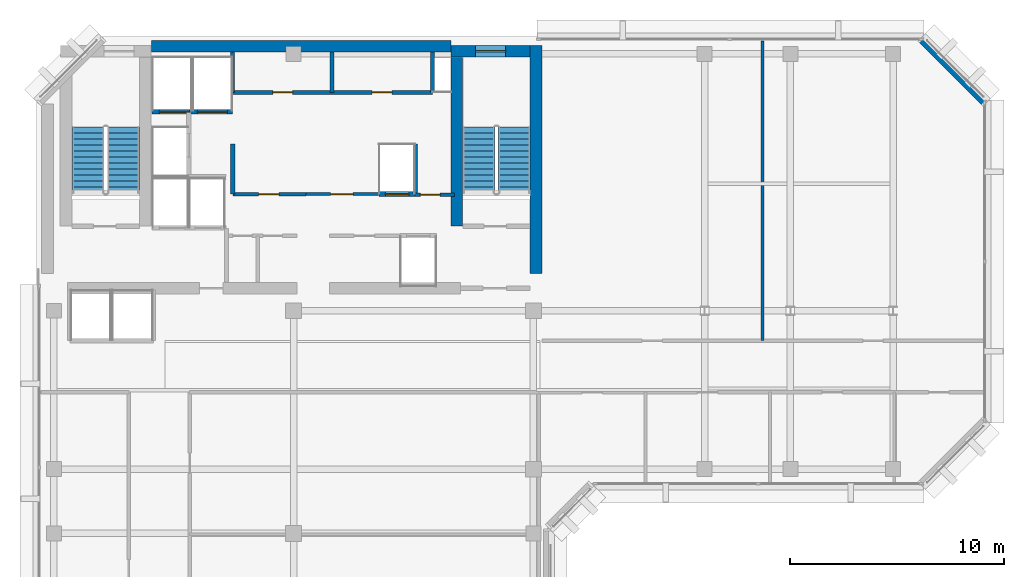
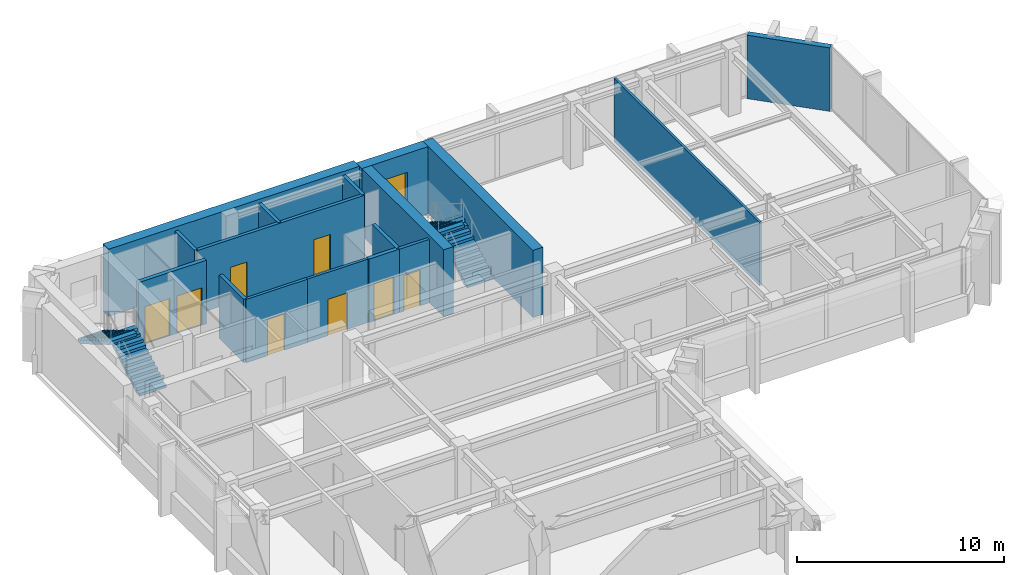
# One storey, part 8 of 11: 17 walls, 8 doors, 4 stair flights, 1 window, 9 openings, 2 elements without a shape of their own.
"""IFC4 building model written with IfcOpenShell, lengths in metres."""

import ifcopenshell
import ifcopenshell.guid

model = None  # the IFC model being written
_history = None  # IfcOwnerHistory: only IFC2X3 demands one
_inside = {}  # id of a spatial element -> (the spatial element, [elements in it])
_under = {}  # id of a project, library or spatial element -> (it, [spatial elements below it])
_declared = {}  # id of a project -> (the project, [libraries it declares])
_typed = {}  # id of a type object -> (the type object, [elements of that type])
_made_of = {}  # id of a material, layer set ... -> (it, [elements and type objects made of it])


def new_model(schema):
    """Start an empty IFC model of exactly this schema.

    Asked for "IFC4X3", IfcOpenShell would pick the latest addendum, in which some entities
    have other attributes; the version numbers below select the first issue.
    IFC2X3 requires an IfcOwnerHistory on every rooted entity: one is made here for all.
    """
    global model, _history
    if schema == "IFC4X3":
        model = ifcopenshell.file(schema_version=(4, 3, 0, 0))
    else:
        model = ifcopenshell.file(schema=schema)
    _inside.clear()
    _under.clear()
    _declared.clear()
    _typed.clear()
    _made_of.clear()
    _history = None
    if model.schema == "IFC2X3":
        org = make("IfcOrganization", Name="unknown")
        user = make(
            "IfcPersonAndOrganization",
            ThePerson=make("IfcPerson", FamilyName="unknown"),
            TheOrganization=org,
        )
        app = make(
            "IfcApplication",
            ApplicationDeveloper=org,
            Version="unknown",
            ApplicationFullName="unknown",
            ApplicationIdentifier="unknown",
        )
        _history = make(
            "IfcOwnerHistory",
            OwningUser=user,
            OwningApplication=app,
            ChangeAction="ADDED",
            CreationDate=0,
        )
    return model


def make(cls, **values):
    """One entity of the class cls with the attributes given. An attribute that is None is left unset."""
    return model.create_entity(
        cls, **{name: value for name, value in values.items() if value is not None}
    )


def rooted(cls, **values):
    """An entity with a GlobalId (a new one), such as an element, a storey or a relation."""
    return make(cls, GlobalId=ifcopenshell.guid.new(), OwnerHistory=_history, **values)


def si_unit(unit_type, name, prefix=None):
    """IfcSIUnit, for example si_unit("LENGTHUNIT", "METRE", prefix="MILLI")."""
    return make("IfcSIUnit", UnitType=unit_type, Prefix=prefix, Name=name)


def assignment(units):
    """IfcUnitAssignment: the units of a project."""
    return None if units is None else make("IfcUnitAssignment", Units=units)


def point(xyz):
    """IfcCartesianPoint."""
    return None if xyz is None else make("IfcCartesianPoint", Coordinates=xyz)


def direction(xyz):
    """IfcDirection."""
    return None if xyz is None else make("IfcDirection", DirectionRatios=xyz)


def frame(location, z_axis=None, x_axis=None):
    """IfcAxis2Placement3D, a coordinate frame: its origin and axes. An axis left out is left unset."""
    return make(
        "IfcAxis2Placement3D",
        Location=point(location),
        Axis=direction(z_axis),
        RefDirection=direction(x_axis),
    )


def frame_2d(location, x_axis=None):
    """IfcAxis2Placement2D, a coordinate frame in the plane: its origin and x axis."""
    return make(
        "IfcAxis2Placement2D", Location=point(location), RefDirection=direction(x_axis)
    )


def origin():
    """The frame at (0, 0, 0) with its axes left unset."""
    return frame((0.0, 0.0, 0.0))


def place(relative_to, where):
    """IfcLocalPlacement: puts the frame where relative to a parent placement (None: the world)."""
    return make(
        "IfcLocalPlacement", PlacementRelTo=relative_to, RelativePlacement=where
    )


def context(
    kind, dimensions, precision=None, world=None, true_north=None, identifier=None
):
    """IfcGeometricRepresentationContext, for example the 3D "Model" context."""
    return make(
        "IfcGeometricRepresentationContext",
        ContextIdentifier=identifier,
        ContextType=kind,
        CoordinateSpaceDimension=dimensions,
        Precision=precision,
        WorldCoordinateSystem=world,
        TrueNorth=true_north,
    )


def subcontext(parent, identifier, kind, view, scale=None):
    """IfcGeometricRepresentationSubContext, for example "Body" below "Model"."""
    return make(
        "IfcGeometricRepresentationSubContext",
        ContextIdentifier=identifier,
        ContextType=kind,
        ParentContext=parent,
        TargetScale=scale,
        TargetView=view,
    )


def project(units=None, contexts=None):
    """IfcProject with its units and contexts."""
    return rooted(
        "IfcProject",
        Name="project",
        RepresentationContexts=contexts,
        UnitsInContext=assignment(units),
    )


def spatial(cls, under=None, at=None, **own):
    """A site, building, storey or space (cls), placed at a placement, below another one or the project."""
    s = rooted(cls, ObjectPlacement=at, **own)
    if under is not None:
        _under.setdefault(under.id(), (under, []))[1].append(s)
    return s


def polyline(points):
    """IfcPolyline through the points."""
    return make("IfcPolyline", Points=[point(p) for p in points])


def profile(cls, at=None, kind="AREA", **sizes):
    """A parametric profile (cls). Its sizes go by their IFC names, for example OverallWidth=200.0."""
    return make(cls, ProfileType=kind, Position=at, **sizes)


def rectangle(**sizes):
    """IfcRectangleProfileDef."""
    return profile("IfcRectangleProfileDef", **sizes)


def outline(outer, holes=None, kind="AREA"):
    """IfcArbitraryClosedProfileDef: a profile drawn as a closed curve; with holes, ...WithVoids."""
    if holes is None:
        return make("IfcArbitraryClosedProfileDef", ProfileType=kind, OuterCurve=outer)
    return make(
        "IfcArbitraryProfileDefWithVoids",
        ProfileType=kind,
        OuterCurve=outer,
        InnerCurves=holes,
    )


def extrude(swept, where, along, depth):
    """IfcExtrudedAreaSolid: the profile swept, set in the frame where, extruded along a direction by depth."""
    return make(
        "IfcExtrudedAreaSolid",
        SweptArea=swept,
        Position=where,
        ExtrudedDirection=direction(along),
        Depth=depth,
    )


def shape(context_of_items, identifier, shape_type, items):
    """IfcShapeRepresentation: the items that make up one representation, for example the "Body"."""
    return make(
        "IfcShapeRepresentation",
        ContextOfItems=context_of_items,
        RepresentationIdentifier=identifier,
        RepresentationType=shape_type,
        Items=items,
    )


def material(Name=None, Category=None):
    """IfcMaterial."""
    return make("IfcMaterial", Name=Name, Category=Category)


def layer(
    of_material, thickness, ventilated=None, Name=None, Category=None, Priority=None
):
    """IfcMaterialLayer: one layer of a wall or slab, of a material (None: an air gap)."""
    return make(
        "IfcMaterialLayer",
        Material=of_material,
        LayerThickness=thickness,
        IsVentilated=ventilated,
        Name=Name,
        Category=Category,
        Priority=Priority,
    )


def layer_set(layers, Name=None):
    """IfcMaterialLayerSet."""
    return make("IfcMaterialLayerSet", MaterialLayers=layers, LayerSetName=Name)


def made_of(thing, what):
    """Note that an element or type object is made of a material, layer set ...; save() writes the relation."""
    if what is not None:
        _made_of.setdefault(what.id(), (what, []))[1].append(thing)
    return thing


def type_object(cls, material=None, **own):
    """A type object (cls), such as IfcWallType, which elements share."""
    return made_of(rooted(cls, **own), material)


def element(
    cls,
    number,
    at=None,
    inside=None,
    cuts=None,
    type_object=None,
    material=None,
    context=None,
    identifier="Body",
    shape_type=None,
    held_by="IfcProductDefinitionShape",
    body=None,
    shapes=None,
    **own,
):
    """One element of the class cls, such as IfcWall. Its Tag is "e" and its number.

    at: its placement. inside: the storey or other place that contains it. cuts: it is an
    opening in that element (IfcRelVoidsElement). A single representation is given by context,
    identifier, shape_type and body (its items); several are given by shapes. held_by: the class
    of the entity that holds the representations. save() writes the other relations.
    """
    e = rooted(cls, Tag="e%d" % number, ObjectPlacement=at, **own)
    if body is not None:
        shapes = [shape(context, identifier, shape_type, body)]
    if shapes is not None:
        e.Representation = make(held_by, Representations=shapes)
    if inside is not None:
        _inside.setdefault(inside.id(), (inside, []))[1].append(e)
    if cuts is not None:
        rooted(
            "IfcRelVoidsElement", RelatingBuildingElement=cuts, RelatedOpeningElement=e
        )
    if type_object is not None:
        _typed.setdefault(type_object.id(), (type_object, []))[1].append(e)
    return made_of(e, material)


def fill(opening, filler):
    """IfcRelFillsElement: the door or window that sits in an opening."""
    return rooted(
        "IfcRelFillsElement",
        RelatingOpeningElement=opening,
        RelatedBuildingElement=filler,
    )


def aggregate(whole, parts):
    """IfcRelAggregates: a whole, such as a stair, and the parts it consists of."""
    return rooted("IfcRelAggregates", RelatingObject=whole, RelatedObjects=parts)


def save(model, path):
    """Write the relations noted so far, then the file.

    IfcRelAggregates (storeys below a building ...), IfcRelContainedInSpatialStructure (elements
    in a storey), IfcRelDefinesByType, IfcRelAssociatesMaterial and IfcRelDeclares: one each for
    every whole, place, type object, material and project.
    """
    for whole, parts in _under.values():
        aggregate(whole, parts)
    for where, things in _inside.values():
        rooted(
            "IfcRelContainedInSpatialStructure",
            RelatedElements=things,
            RelatingStructure=where,
        )
    for kind, things in _typed.values():
        rooted("IfcRelDefinesByType", RelatedObjects=things, RelatingType=kind)
    for what, things in _made_of.values():
        rooted("IfcRelAssociatesMaterial", RelatedObjects=things, RelatingMaterial=what)
    for by, libraries in _declared.values():
        rooted("IfcRelDeclares", RelatingContext=by, RelatedDefinitions=libraries)
    model.write(path)


model = new_model("IFC4")

# Units and contexts
model_context = context("Model", 3, precision=1e-05, world=origin(), true_north=direction((0.0, 1.0)))
body_context = subcontext(model_context, "Body", "Model", "MODEL_VIEW")
ifc_project = project(units=[si_unit("LENGTHUNIT", "METRE"), si_unit("AREAUNIT", "SQUARE_METRE"), si_unit("VOLUMEUNIT", "CUBIC_METRE"), si_unit("PLANEANGLEUNIT", "RADIAN"), si_unit("MASSUNIT", "GRAM", prefix="KILO")], contexts=[model_context])

# Site, building, storey
site_placement = place(None, origin())
site = spatial("IfcSite", under=ifc_project, at=site_placement, CompositionType="ELEMENT")
building_placement = place(site_placement, origin())
building = spatial("IfcBuilding", under=site, at=building_placement, Name="Kefirva Bronze Tower", CompositionType="ELEMENT")
storey_placement = place(building_placement, frame((0.0, 0.0, 284.1298828125)))
storey = spatial("IfcBuildingStorey", under=building, at=storey_placement, Name="L69", CompositionType="ELEMENT", Elevation=284.1298828125)

# Wall
ifc_material_1 = material(Name="Gypsum acoustic partition")
ifc_layer_1 = layer(ifc_material_1, 0.1298828125, Name="Gypsum acoustic partition")
ifc_layer_set_1 = layer_set([ifc_layer_1], Name="Gypsum acoustic partition")
wall_type_1 = type_object("IfcWallType", Name="Acoustic Office Partition 130mm", PredefinedType="PARTITIONING", material=ifc_layer_set_1)
wall_1_placement = place(storey_placement, frame((33.905029296875, 31.800048828125, 0.0), z_axis=(0.0, 0.0, 1.0), x_axis=(0.0, 1.0, 0.0)))
element("IfcWall", 1, at=wall_1_placement, inside=storey, type_object=wall_type_1, Name="L69 Partition W-L69-END1", PredefinedType="PARTITIONING", context=body_context, shape_type="SweptSolid", body=[
    extrude(rectangle(XDim=14.010009765625, YDim=0.1298828125, at=frame_2d((7.0048828125, 0.0))), origin(), (0.0, 0.0, 1.0), 3.740234375),
])

# Wall, opening, door
ifc_layer_2 = layer(ifc_material_1, 0.14990234375, Name="Gypsum acoustic partition")
ifc_layer_set_2 = layer_set([ifc_layer_2], Name="Gypsum acoustic partition")
wall_type_2 = type_object("IfcWallType", Name="Executive Suite Partition 150mm", PredefinedType="PARTITIONING", material=ifc_layer_set_2)
wall_2_placement = place(storey_placement, frame((12.580078125, 38.64990234375, 0.0), z_axis=(0.0, 0.0, 1.0), x_axis=(1.0, 0.0, 0.0)))
wall_2 = element("IfcWall", 2, at=wall_2_placement, inside=storey, type_object=wall_type_2, Name="L69 Partition W-L69-RECMP2", PredefinedType="PARTITIONING", context=body_context, shape_type="SweptSolid", body=[
    extrude(rectangle(XDim=3.3798828125, YDim=0.14990234375, at=frame_2d((1.68994140625, 0.0))), origin(), (0.0, 0.0, 1.0), 3.740234375),
])
opening_1_placement = place(wall_2_placement, frame((2.199951171875, 0.0, 0.0), z_axis=(0.0, 0.0, 1.0), x_axis=(-1.0, 0.0, 0.0)))
opening_1 = element("IfcOpeningElement", 3, at=opening_1_placement, cuts=wall_2, Name="Opening L69-D-RECMP2", PredefinedType="OPENING", context=body_context, shape_type="SweptSolid", body=[
    extrude(rectangle(XDim=1.050048828125, YDim=2.14990234375, at=frame_2d((0.52490234375, 1.074951171875))), frame((0.0, 0.0849609375, 0.0), z_axis=(0.0, -1.0, 0.0), x_axis=(1.0, 0.0, 0.0)), (0.0, 0.0, 1.0), 0.169921875),
])
ifc_material_2 = material(Name="Acoustic hardwood oak", Category="wood")
door_type_1 = type_object("IfcDoorType", Name="Executive & Boardroom Door 1050x2150", OperationType="NOTDEFINED", PredefinedType="DOOR", material=ifc_material_2)
door_1_placement = place(opening_1_placement, origin())
door_1 = element("IfcDoor", 4, at=door_1_placement, inside=storey, type_object=door_type_1, Name="Door L69-D-RECMP2", OperationType="SINGLE_SWING_RIGHT", OverallHeight=2.14990234375, OverallWidth=1.050048828125, PredefinedType="DOOR", context=body_context, shape_type="SweptSolid", body=[
    extrude(rectangle(XDim=1.050048828125, YDim=2.14990234375, at=frame_2d((0.52490234375, 1.074951171875))), frame((0.0, 0.02490234375, 0.0), z_axis=(0.0, -1.0, 0.0), x_axis=(1.0, 0.0, 0.0)), (0.0, 0.0, 1.0), 0.050048828125),
])
fill(opening_1, door_1)

# Wall, openings, doors
ifc_material_3 = material(Name="Gypsum fireboard shaftwall")
ifc_layer_3 = layer(ifc_material_3, 0.219970703125, Name="Gypsum fireboard shaftwall")
ifc_layer_set_3 = layer_set([ifc_layer_3], Name="Gypsum fireboard shaftwall")
wall_type_3 = type_object("IfcWallType", Name="Fire-Rated Shaft Enclosure Wall 220mm", PredefinedType="PARTITIONING", material=ifc_layer_set_3)
wall_3_placement = place(storey_placement, frame((5.3798828125, 42.5, 0.0), z_axis=(0.0, 0.0, 1.0), x_axis=(1.0, 0.0, 0.0)))
wall_3 = element("IfcWall", 5, at=wall_3_placement, inside=storey, type_object=wall_type_3, Name="L69 Partition W-L69-SVS", PredefinedType="PARTITIONING", context=body_context, shape_type="SweptSolid", body=[
    extrude(rectangle(XDim=3.77001953125, YDim=0.219970703125, at=frame_2d((1.885009765625, 0.0))), origin(), (0.0, 0.0, 1.0), 3.740234375),
])
opening_2_placement = place(wall_3_placement, frame((1.75, 0.0, 0.0), z_axis=(0.0, 0.0, 1.0), x_axis=(-1.0, 0.0, 0.0)))
opening_2 = element("IfcOpeningElement", 6, at=opening_2_placement, cuts=wall_3, Name="Opening L69-LD-SV1", PredefinedType="OPENING", context=body_context, shape_type="SweptSolid", body=[
    extrude(rectangle(XDim=1.39990234375, YDim=2.199951171875, at=frame_2d((0.699951171875, 1.10009765625))), frame((0.0, 0.1201171875, 0.0), z_axis=(0.0, -1.0, 0.0), x_axis=(1.0, 0.0, 0.0)), (0.0, 0.0, 1.0), 0.239990234375),
])
opening_3_placement = place(wall_3_placement, frame((3.52978515625, 0.0, 0.0), z_axis=(0.0, 0.0, 1.0), x_axis=(-1.0, 0.0, 0.0)))
opening_3 = element("IfcOpeningElement", 7, at=opening_3_placement, cuts=wall_3, Name="Opening L69-LD-SV2", PredefinedType="OPENING", context=body_context, shape_type="SweptSolid", body=[
    extrude(rectangle(XDim=1.39990234375, YDim=2.199951171875, at=frame_2d((0.699951171875, 1.10009765625))), frame((0.0, 0.1201171875, 0.0), z_axis=(0.0, -1.0, 0.0), x_axis=(1.0, 0.0, 0.0)), (0.0, 0.0, 1.0), 0.239990234375),
])
ifc_material_4 = material(Name="Stainless steel 316", Category="steel")
door_type_2 = type_object("IfcDoorType", Name="Goods Lift Bi-Parting Sliding Door 1400x2200", OperationType="SLIDING_TO_LEFT", PredefinedType="DOOR", material=ifc_material_4)
door_2_placement = place(opening_2_placement, origin())
door_2 = element("IfcDoor", 8, at=door_2_placement, inside=storey, type_object=door_type_2, Name="Door L69-LD-SV1", OperationType="SLIDING_TO_LEFT", OverallHeight=2.199951171875, OverallWidth=1.39990234375, PredefinedType="DOOR", context=body_context, shape_type="SweptSolid", body=[
    extrude(rectangle(XDim=1.39990234375, YDim=2.199951171875, at=frame_2d((0.699951171875, 1.10009765625))), frame((0.0, 0.02490234375, 0.0), z_axis=(0.0, -1.0, 0.0), x_axis=(1.0, 0.0, 0.0)), (0.0, 0.0, 1.0), 0.050048828125),
])
fill(opening_2, door_2)
door_3_placement = place(opening_3_placement, origin())
door_3 = element("IfcDoor", 9, at=door_3_placement, inside=storey, type_object=door_type_2, Name="Door L69-LD-SV2", OperationType="SLIDING_TO_LEFT", OverallHeight=2.199951171875, OverallWidth=1.39990234375, PredefinedType="DOOR", context=body_context, shape_type="SweptSolid", body=[
    extrude(rectangle(XDim=1.39990234375, YDim=2.199951171875, at=frame_2d((0.699951171875, 1.10009765625))), frame((0.0, 0.02490234375, 0.0), z_axis=(0.0, -1.0, 0.0), x_axis=(1.0, 0.0, 0.0)), (0.0, 0.0, 1.0), 0.050048828125),
])
fill(opening_3, door_3)

# Walls
for number, where, z_axis, x_axis, name in (
    (10, (9.159912109375, 38.64990234375, 0.0), (0.0, 0.0, 1.0), (0.0, 1.0, 0.0), "L69 Partition W-L69-LP3W"),
    (11, (17.679931640625, 38.64990234375, 0.0), (0.0, 0.0, 1.0), (0.0, 1.0, 0.0), "L69 Partition W-L69-HP2E"),
):
    element("IfcWall", number, at=place(storey_placement, frame(where, z_axis=z_axis, x_axis=x_axis)), inside=storey, type_object=wall_type_3, Name=name, PredefinedType="PARTITIONING", context=body_context, shape_type="SweptSolid", body=[
        extrude(rectangle(XDim=2.35009765625, YDim=0.199951171875, at=frame_2d((1.175048828125, 0.0))), origin(), (0.0, 0.0, 1.0), 3.740234375),
    ])

# Wall, opening, door
wall_4_placement = place(storey_placement, frame((15.97998046875, 38.64990234375, 0.0), z_axis=(0.0, 0.0, 1.0), x_axis=(1.0, 0.0, 0.0)))
wall_4 = element("IfcWall", 12, at=wall_4_placement, inside=storey, type_object=wall_type_3, Name="L69 Partition W-L69-HPN", PredefinedType="PARTITIONING", context=body_context, shape_type="SweptSolid", body=[
    extrude(rectangle(XDim=1.719970703125, YDim=0.219970703125, at=frame_2d((0.85986328125, 0.0))), origin(), (0.0, 0.0, 1.0), 3.740234375),
])
opening_4_placement = place(wall_4_placement, frame((0.300048828125, 0.0, 0.0)))
opening_4 = element("IfcOpeningElement", 13, at=opening_4_placement, cuts=wall_4, Name="Opening L69-LD-HP2", PredefinedType="OPENING", context=body_context, shape_type="SweptSolid", body=[
    extrude(rectangle(XDim=1.10009765625, YDim=2.199951171875, at=frame_2d((0.550048828125, 1.10009765625))), frame((0.0, 0.1201171875, 0.0), z_axis=(0.0, -1.0, 0.0), x_axis=(1.0, 0.0, 0.0)), (0.0, 0.0, 1.0), 0.239990234375),
])
door_type_3 = type_object("IfcDoorType", Name="Passenger Lift Sliding Landing Door 1100x2200", OperationType="SLIDING_TO_LEFT", PredefinedType="DOOR", material=ifc_material_4)
door_4_placement = place(opening_4_placement, origin())
door_4 = element("IfcDoor", 14, at=door_4_placement, inside=storey, type_object=door_type_3, Name="Door L69-LD-HP2", OperationType="SLIDING_TO_LEFT", OverallHeight=2.199951171875, OverallWidth=1.10009765625, PredefinedType="DOOR", context=body_context, shape_type="SweptSolid", body=[
    extrude(rectangle(XDim=1.10009765625, YDim=2.199951171875, at=frame_2d((0.550048828125, 1.10009765625))), frame((0.0, 0.02490234375, 0.0), z_axis=(0.0, -1.0, 0.0), x_axis=(1.0, 0.0, 0.0)), (0.0, 0.0, 1.0), 0.050048828125),
])
fill(opening_4, door_4)

ifc_material_5 = material(Name="Gypsum fireboard barrier")
ifc_layer_4 = layer(ifc_material_5, 0.199951171875, Name="Gypsum fireboard barrier")
ifc_layer_set_4 = layer_set([ifc_layer_4], Name="Gypsum fireboard barrier")
wall_type_4 = type_object("IfcWallType", Name="Firefighting Lobby Barrier Wall 200mm", PredefinedType="PARTITIONING", material=ifc_layer_set_4)
wall_5_placement = place(storey_placement, frame((17.679931640625, 38.6201171875, 0.0), z_axis=(0.0, 0.0, 1.0), x_axis=(1.0, 0.0, 0.0)))
wall_5 = element("IfcWall", 15, at=wall_5_placement, inside=storey, type_object=wall_type_4, Name="L69 Partition W-L69-CPASS", PredefinedType="PARTITIONING", context=body_context, shape_type="SweptSolid", body=[
    extrude(rectangle(XDim=1.840087890625, YDim=0.179931640625, at=frame_2d((0.919921875, 0.0))), origin(), (0.0, 0.0, 1.0), 3.740234375),
])
opening_5_placement = place(wall_5_placement, frame((0.239990234375, 0.0, 0.0)))
opening_5 = element("IfcOpeningElement", 16, at=opening_5_placement, cuts=wall_5, Name="Opening L69-D-CPAS", PredefinedType="OPENING", context=body_context, shape_type="SweptSolid", body=[
    extrude(rectangle(XDim=0.919921875, YDim=2.10009765625, at=frame_2d((0.4599609375, 1.050048828125))), frame((0.0, 0.10009765625, 0.0), z_axis=(0.0, -1.0, 0.0), x_axis=(1.0, 0.0, 0.0)), (0.0, 0.0, 1.0), 0.199951171875),
])
ifc_material_6 = material(Name="Moisture-resistant timber", Category="wood")
door_type_4 = type_object("IfcDoorType", Name="Accessible Sanitary & WC Door 920x2100", OperationType="NOTDEFINED", PredefinedType="DOOR", material=ifc_material_6)
door_5_placement = place(opening_5_placement, origin())
door_5 = element("IfcDoor", 17, at=door_5_placement, inside=storey, type_object=door_type_4, Name="Door L69-D-CPAS", OperationType="SINGLE_SWING_LEFT", OverallHeight=2.10009765625, OverallWidth=0.919921875, PredefinedType="DOOR", context=body_context, shape_type="SweptSolid", body=[
    extrude(rectangle(XDim=0.919921875, YDim=2.10009765625, at=frame_2d((0.4599609375, 1.050048828125))), frame((0.0, 0.02490234375, 0.0), z_axis=(0.0, -1.0, 0.0), x_axis=(1.0, 0.0, 0.0)), (0.0, 0.0, 1.0), 0.050048828125),
])
fill(opening_5, door_5)

# Wall
ifc_material_7 = material(Name="Precast concrete C40/50", Category="concrete")
ifc_layer_5 = layer(ifc_material_7, 0.320068359375, Name="Precast concrete C40/50")
ifc_layer_set_5 = layer_set([ifc_layer_5], Name="Precast concrete C40/50")
wall_type_5 = type_object("IfcWallType", Name="Precast Insulated Exterior Wall 320mm", PredefinedType="SOLIDWALL", material=ifc_layer_set_5)
wall_6_placement = place(storey_placement, frame((44.248046875, 42.92578125, 0.0), z_axis=(0.0, 0.0, 1.0), x_axis=(-0.707136318428, 0.707077242712, 0.0)))
element("IfcWall", 18, at=wall_6_placement, inside=storey, type_object=wall_type_5, Name="L69 Exterior Facade Wall 5", PredefinedType="SOLIDWALL", context=body_context, shape_type="SweptSolid", body=[
    extrude(rectangle(XDim=4.132568359375, YDim=0.320068359375, at=frame_2d((2.06640625, 0.0))), origin(), (0.0, 0.0, 1.0), 3.740234375),
])

# Wall, opening, door
ifc_layer_6 = layer(ifc_material_1, 0.159912109375, Name="Gypsum acoustic partition")
ifc_layer_set_6 = layer_set([ifc_layer_6], Name="Gypsum acoustic partition")
wall_type_6 = type_object("IfcWallType", Name="Protected Corridor Partition 160mm", PredefinedType="PARTITIONING", material=ifc_layer_set_6)
wall_7_placement = place(storey_placement, frame((9.159912109375, 38.64990234375, 0.0), z_axis=(0.0, 0.0, 1.0), x_axis=(1.0, 0.0, 0.0)))
wall_7 = element("IfcWall", 19, at=wall_7_placement, inside=storey, type_object=wall_type_6, Name="L69 Partition W-L69-RECLP2", PredefinedType="PARTITIONING", context=body_context, shape_type="SweptSolid", body=[
    extrude(rectangle(XDim=3.420166015625, YDim=0.159912109375, at=frame_2d((1.7099609375, 0.0))), origin(), (0.0, 0.0, 1.0), 3.740234375),
])
opening_6_placement = place(wall_7_placement, frame((2.14990234375, 0.0, 0.0), z_axis=(0.0, 0.0, 1.0), x_axis=(-1.0, 0.0, 0.0)))
opening_6 = element("IfcOpeningElement", 20, at=opening_6_placement, cuts=wall_7, Name="Opening L69-D-RECLP2", PredefinedType="OPENING", context=body_context, shape_type="SweptSolid", body=[
    extrude(rectangle(XDim=0.949951171875, YDim=2.14990234375, at=frame_2d((0.47509765625, 1.074951171875))), frame((0.0, 0.08984375, 0.0), z_axis=(0.0, -1.0, 0.0), x_axis=(1.0, 0.0, 0.0)), (0.0, 0.0, 1.0), 0.179931640625),
])
door_type_5 = type_object("IfcDoorType", Name="Office & Meeting Room Door 950x2150", OperationType="NOTDEFINED", PredefinedType="DOOR", material=ifc_material_2)
door_6_placement = place(opening_6_placement, origin())
door_6 = element("IfcDoor", 21, at=door_6_placement, inside=storey, type_object=door_type_5, Name="Door L69-D-RECLP2", OperationType="SINGLE_SWING_RIGHT", OverallHeight=2.14990234375, OverallWidth=0.949951171875, PredefinedType="DOOR", context=body_context, shape_type="SweptSolid", body=[
    extrude(rectangle(XDim=0.949951171875, YDim=2.14990234375, at=frame_2d((0.47509765625, 1.074951171875))), frame((0.0, 0.02490234375, 0.0), z_axis=(0.0, -1.0, 0.0), x_axis=(1.0, 0.0, 0.0)), (0.0, 0.0, 1.0), 0.050048828125),
])
fill(opening_6, door_6)

# Wall
ifc_material_8 = material(Name="Concrete C50/60", Category="concrete")
ifc_layer_7 = layer(ifc_material_8, 0.550048828125, Name="Concrete C50/60")
ifc_layer_set_7 = layer_set([ifc_layer_7], Name="Concrete C50/60")
wall_type_7 = type_object("IfcWallType", Name="RC Rear Core Exterior Wall 550mm", PredefinedType="SHEAR", material=ifc_layer_set_7)
wall_8_placement = place(storey_placement, frame((5.360107421875, 45.550048828125, 0.0), z_axis=(0.0, 0.0, 1.0), x_axis=(1.0, 0.0, 0.0)))
element("IfcWall", 22, at=wall_8_placement, inside=storey, type_object=wall_type_7, Name="L69 Rear Core North Shear Wall", PredefinedType="SHEAR", context=body_context, shape_type="SweptSolid", body=[
    extrude(rectangle(XDim=13.97998046875, YDim=0.550048828125, at=frame_2d((6.989990234375, 0.0))), origin(), (0.0, 0.0, 1.0), 3.960205078125),
])

# Wall, opening, window
wall_9_placement = place(storey_placement, frame((19.35009765625, 45.320068359375, 0.0), z_axis=(0.0, 0.0, 1.0), x_axis=(1.0, 0.0, 0.0)))
wall_9 = element("IfcWall", 23, at=wall_9_placement, inside=storey, type_object=wall_type_7, Name="L69 Stair 2 North Shear Wall", PredefinedType="SHEAR", context=body_context, shape_type="SweptSolid", body=[
    extrude(rectangle(XDim=3.68994140625, YDim=0.550048828125, at=frame_2d((1.844970703125, 0.0))), origin(), (0.0, 0.0, 1.0), 3.960205078125),
])
opening_7_placement = place(wall_9_placement, frame((1.14990234375, 0.0, 1.050048828125)))
opening_7 = element("IfcOpeningElement", 24, at=opening_7_placement, cuts=wall_9, Name="Opening WN-03", PredefinedType="OPENING", context=body_context, shape_type="SweptSolid", body=[
    extrude(rectangle(XDim=1.39990234375, YDim=1.800048828125, at=frame_2d((0.699951171875, 0.89990234375))), frame((0.0, 0.28515625, 0.0), z_axis=(0.0, -1.0, 0.0), x_axis=(1.0, 0.0, 0.0)), (0.0, 0.0, 1.0), 0.570068359375),
])
ifc_material_9 = material(Name="Laminated low-E double glazing", Category="glass")
window_type = type_object("IfcWindowType", Name="Rear-Core Stair Daylight Window 1400x1800", PartitioningType="SINGLE_PANEL", PredefinedType="WINDOW", material=ifc_material_9)
window_placement = place(opening_7_placement, origin())
window = element("IfcWindow", 25, at=window_placement, inside=storey, type_object=window_type, Name="L69 Stair 2 Daylight Window", OverallHeight=1.800048828125, OverallWidth=1.39990234375, PartitioningType="SINGLE_PANEL", PredefinedType="WINDOW", context=body_context, shape_type="SweptSolid", body=[
    extrude(rectangle(XDim=1.39990234375, YDim=1.800048828125, at=frame_2d((0.699951171875, 0.89990234375))), frame((0.0, 0.030029296875, 0.0), z_axis=(0.0, -1.0, 0.0), x_axis=(1.0, 0.0, 0.0)), (0.0, 0.0, 1.0), 0.06005859375),
])
fill(opening_7, window)

# Walls
ifc_layer_8 = layer(ifc_material_8, 0.550048828125, Name="Concrete C50/60")
ifc_layer_set_8 = layer_set([ifc_layer_8], Name="Concrete C50/60")
wall_type_8 = type_object("IfcWallType", Name="RC Rear Core Interior Wall 550mm", PredefinedType="SHEAR", material=ifc_layer_set_8)
wall_10_placement = place(storey_placement, frame((23.324951171875, 34.949951171875, 0.0), z_axis=(0.0, 0.0, 1.0), x_axis=(0.0, 1.0, 0.0)))
element("IfcWall", 26, at=wall_10_placement, inside=storey, type_object=wall_type_8, Name="L69 Rear Core East Shear Wall", PredefinedType="SHEAR", context=body_context, shape_type="SweptSolid", body=[
    extrude(rectangle(XDim=10.64013671875, YDim=0.550048828125, at=frame_2d((5.320068359375, 0.0))), origin(), (0.0, 0.0, 1.0), 3.960205078125),
])
wall_11_placement = place(storey_placement, frame((19.6201171875, 37.14990234375, 0.0), z_axis=(0.0, 0.0, 1.0), x_axis=(0.0, 1.0, 0.0)))
element("IfcWall", 27, at=wall_11_placement, inside=storey, type_object=wall_type_8, Name="L69 Stair 2 West Shear Wall", PredefinedType="SHEAR", context=body_context, shape_type="SweptSolid", body=[
    extrude(rectangle(XDim=7.89013671875, YDim=0.550048828125, at=frame_2d((3.945068359375, 0.0))), origin(), (0.0, 0.0, 1.0), 3.960205078125),
])

# Wall, openings, doors
ifc_material_10 = material(Name="Moisture-resistant partition")
ifc_layer_9 = layer(ifc_material_10, 0.179931640625, Name="Moisture-resistant partition")
ifc_layer_set_9 = layer_set([ifc_layer_9], Name="Moisture-resistant partition")
wall_type_9 = type_object("IfcWallType", Name="Sanitary Plumbing Chase Wall 180mm", PredefinedType="PLUMBINGWALL", material=ifc_layer_set_9)
wall_12_placement = place(storey_placement, frame((9.14990234375, 43.39990234375, 0.0), z_axis=(0.0, 0.0, 1.0), x_axis=(1.0, 0.0, 0.0)))
wall_12 = element("IfcWall", 28, at=wall_12_placement, inside=storey, type_object=wall_type_9, Name="L69 Partition W-L69-SVCS", PredefinedType="PLUMBINGWALL", context=body_context, shape_type="SweptSolid", body=[
    extrude(rectangle(XDim=9.330078125, YDim=0.179931640625, at=frame_2d((4.6650390625, 0.0))), origin(), (0.0, 0.0, 1.0), 3.740234375),
])
opening_8_placement = place(wall_12_placement, frame((1.8798828125, 0.0, 0.0)))
opening_8 = element("IfcOpeningElement", 29, at=opening_8_placement, cuts=wall_12, Name="Opening L69-D-CSVC1", PredefinedType="OPENING", context=body_context, shape_type="SweptSolid", body=[
    extrude(rectangle(XDim=0.919921875, YDim=2.10009765625, at=frame_2d((0.4599609375, 1.050048828125))), frame((0.0, 0.10009765625, 0.0), z_axis=(0.0, -1.0, 0.0), x_axis=(1.0, 0.0, 0.0)), (0.0, 0.0, 1.0), 0.199951171875),
])
opening_9_placement = place(wall_12_placement, frame((6.514892578125, 0.0, 0.0)))
opening_9 = element("IfcOpeningElement", 30, at=opening_9_placement, cuts=wall_12, Name="Opening L69-D-CSVC2", PredefinedType="OPENING", context=body_context, shape_type="SweptSolid", body=[
    extrude(rectangle(XDim=0.919921875, YDim=2.10009765625, at=frame_2d((0.4599609375, 1.050048828125))), frame((0.0, 0.10009765625, 0.0), z_axis=(0.0, -1.0, 0.0), x_axis=(1.0, 0.0, 0.0)), (0.0, 0.0, 1.0), 0.199951171875),
])
door_7_placement = place(opening_8_placement, origin())
door_7 = element("IfcDoor", 31, at=door_7_placement, inside=storey, type_object=door_type_4, Name="Door L69-D-CSVC1", OperationType="SINGLE_SWING_LEFT", OverallHeight=2.10009765625, OverallWidth=0.919921875, PredefinedType="DOOR", context=body_context, shape_type="SweptSolid", body=[
    extrude(rectangle(XDim=0.919921875, YDim=2.10009765625, at=frame_2d((0.4599609375, 1.050048828125))), frame((0.0, 0.02490234375, 0.0), z_axis=(0.0, -1.0, 0.0), x_axis=(1.0, 0.0, 0.0)), (0.0, 0.0, 1.0), 0.050048828125),
])
fill(opening_8, door_7)
door_8_placement = place(opening_9_placement, origin())
door_8 = element("IfcDoor", 32, at=door_8_placement, inside=storey, type_object=door_type_4, Name="Door L69-D-CSVC2", OperationType="SINGLE_SWING_RIGHT", OverallHeight=2.10009765625, OverallWidth=0.919921875, PredefinedType="DOOR", context=body_context, shape_type="SweptSolid", body=[
    extrude(rectangle(XDim=0.919921875, YDim=2.10009765625, at=frame_2d((0.4599609375, 1.050048828125))), frame((0.0, 0.02490234375, 0.0), z_axis=(0.0, -1.0, 0.0), x_axis=(1.0, 0.0, 0.0)), (0.0, 0.0, 1.0), 0.050048828125),
])
fill(opening_9, door_8)

# Walls
for number, where, z_axis, x_axis, name in (
    (33, (9.14990234375, 43.39990234375, 0.0), (0.0, 0.0, 1.0), (0.0, 1.0, 0.0), "L69 Partition W-L69-SVCW"),
    (34, (18.47998046875, 43.39990234375, 0.0), (0.0, 0.0, 1.0), (0.0, 1.0, 0.0), "L69 Partition W-L69-SVCE"),
    (35, (13.800048828125, 43.39990234375, 0.0), (0.0, 0.0, 1.0), (0.0, 1.0, 0.0), "L69 Partition W-L69-CSVD-1"),
):
    element("IfcWall", number, at=place(storey_placement, frame(where, z_axis=z_axis, x_axis=x_axis)), inside=storey, type_object=wall_type_9, Name=name, PredefinedType="PLUMBINGWALL", context=body_context, shape_type="SweptSolid", body=[
        extrude(rectangle(XDim=1.880126953125, YDim=0.179931640625, at=frame_2d((0.93994140625, 0.0))), origin(), (0.0, 0.0, 1.0), 3.740234375),
    ])

# Stair, stair flights
ifc_material_11 = material(Name="Concrete C40/50", Category="concrete")
stair_type = type_object("IfcStairType", Name="RC Dogleg Protected Stair 24R", PredefinedType="HALF_TURN_STAIR", material=ifc_material_11)
stair_1_placement = place(storey_placement, origin())
stair_1 = element("IfcStair", 36, at=stair_1_placement, inside=storey, type_object=stair_type, Name="L69 Protected Exit Stair 1", PredefinedType="HALF_TURN_STAIR")
stair_flight_type = type_object("IfcStairFlightType", Name="RC Straight Stair Flight 24R", PredefinedType="STRAIGHT", material=ifc_material_11)
stair_flight_1_placement = place(storey_placement, frame((4.050048828125, 38.699951171875, 0.0), z_axis=(0.0, 0.0, 1.0), x_axis=(0.0, 1.0, 0.0)))
stair_flight_1 = element("IfcStairFlight", 37, at=stair_flight_1_placement, type_object=stair_flight_type, Name="ST-1 flight 1", NumberOfRisers=12, NumberOfTreads=11, PredefinedType="STRAIGHT", RiserHeight=0.165, TreadLength=0.28, context=body_context, shape_type="SweptSolid", body=[
    extrude(outline(polyline([(0.0, 0.0), (0.0, 0.1650390625), (0.280029296875, 0.1650390625), (0.280029296875, 0.330078125), (0.56005859375, 0.330078125), (0.56005859375, 0.4951171875), (0.840087890625, 0.4951171875), (0.840087890625, 0.659912109375), (1.1201171875, 0.659912109375), (1.1201171875, 0.824951171875), (1.39990234375, 0.824951171875), (1.39990234375, 0.989990234375), (1.679931640625, 0.989990234375), (1.679931640625, 1.155029296875), (1.9599609375, 1.155029296875), (1.9599609375, 1.320068359375), (2.239990234375, 1.320068359375), (2.239990234375, 1.485107421875), (2.52001953125, 1.485107421875), (2.52001953125, 1.64990234375), (2.800048828125, 1.64990234375), (2.800048828125, 1.81494140625), (3.080078125, 1.81494140625), (3.080078125, 1.97998046875), (3.080078125, 1.64111328125), (0.295166015625, 0.0), (0.0, 0.0)])), frame((0.0, 0.75, 0.0), z_axis=(0.0, -1.0, 0.0), x_axis=(1.0, 0.0, 0.0)), (0.0, 0.0, 1.0), 1.5),
])
stair_flight_2_placement = place(storey_placement, frame((2.39990234375, 41.780029296875, 1.980224609375), z_axis=(0.0, 0.0, 1.0), x_axis=(0.0, -1.0, 0.0)))
stair_flight_2 = element("IfcStairFlight", 38, at=stair_flight_2_placement, type_object=stair_flight_type, Name="ST-1 flight 2", NumberOfRisers=12, NumberOfTreads=11, PredefinedType="STRAIGHT", RiserHeight=0.165, TreadLength=0.28, context=body_context, shape_type="SweptSolid", body=[
    extrude(outline(polyline([(0.0, 0.0), (0.0, 0.1650390625), (0.280029296875, 0.1650390625), (0.280029296875, 0.330078125), (0.56005859375, 0.330078125), (0.56005859375, 0.4951171875), (0.840087890625, 0.4951171875), (0.840087890625, 0.659912109375), (1.1201171875, 0.659912109375), (1.1201171875, 0.824951171875), (1.39990234375, 0.824951171875), (1.39990234375, 0.989990234375), (1.679931640625, 0.989990234375), (1.679931640625, 1.155029296875), (1.9599609375, 1.155029296875), (1.9599609375, 1.320068359375), (2.239990234375, 1.320068359375), (2.239990234375, 1.485107421875), (2.52001953125, 1.485107421875), (2.52001953125, 1.64990234375), (2.800048828125, 1.64990234375), (2.800048828125, 1.81494140625), (3.080078125, 1.81494140625), (3.080078125, 1.97998046875), (3.080078125, 1.64111328125), (0.295166015625, 0.0), (0.0, 0.0)])), frame((0.0, 0.75, 0.0), z_axis=(0.0, -1.0, 0.0), x_axis=(1.0, 0.0, 0.0)), (0.0, 0.0, 1.0), 1.5),
])
aggregate(stair_1, [stair_flight_1, stair_flight_2])

stair_2_placement = place(storey_placement, origin())
stair_2 = element("IfcStair", 39, at=stair_2_placement, inside=storey, type_object=stair_type, Name="L69 Protected Exit Stair 2", PredefinedType="HALF_TURN_STAIR")
stair_flight_3_placement = place(storey_placement, frame((22.300048828125, 38.699951171875, 0.0), z_axis=(0.0, 0.0, 1.0), x_axis=(0.0, 1.0, 0.0)))
stair_flight_3 = element("IfcStairFlight", 40, at=stair_flight_3_placement, type_object=stair_flight_type, Name="ST-2 flight 1", NumberOfRisers=12, NumberOfTreads=11, PredefinedType="STRAIGHT", RiserHeight=0.165, TreadLength=0.28, context=body_context, shape_type="SweptSolid", body=[
    extrude(outline(polyline([(0.0, 0.0), (0.0, 0.1650390625), (0.280029296875, 0.1650390625), (0.280029296875, 0.330078125), (0.56005859375, 0.330078125), (0.56005859375, 0.4951171875), (0.840087890625, 0.4951171875), (0.840087890625, 0.659912109375), (1.1201171875, 0.659912109375), (1.1201171875, 0.824951171875), (1.39990234375, 0.824951171875), (1.39990234375, 0.989990234375), (1.679931640625, 0.989990234375), (1.679931640625, 1.155029296875), (1.9599609375, 1.155029296875), (1.9599609375, 1.320068359375), (2.239990234375, 1.320068359375), (2.239990234375, 1.485107421875), (2.52001953125, 1.485107421875), (2.52001953125, 1.64990234375), (2.800048828125, 1.64990234375), (2.800048828125, 1.81494140625), (3.080078125, 1.81494140625), (3.080078125, 1.97998046875), (3.080078125, 1.64111328125), (0.295166015625, 0.0), (0.0, 0.0)])), frame((0.0, 0.75, 0.0), z_axis=(0.0, -1.0, 0.0), x_axis=(1.0, 0.0, 0.0)), (0.0, 0.0, 1.0), 1.5),
])
stair_flight_4_placement = place(storey_placement, frame((20.64990234375, 41.780029296875, 1.980224609375), z_axis=(0.0, 0.0, 1.0), x_axis=(0.0, -1.0, 0.0)))
stair_flight_4 = element("IfcStairFlight", 41, at=stair_flight_4_placement, type_object=stair_flight_type, Name="ST-2 flight 2", NumberOfRisers=12, NumberOfTreads=11, PredefinedType="STRAIGHT", RiserHeight=0.165, TreadLength=0.28, context=body_context, shape_type="SweptSolid", body=[
    extrude(outline(polyline([(0.0, 0.0), (0.0, 0.1650390625), (0.280029296875, 0.1650390625), (0.280029296875, 0.330078125), (0.56005859375, 0.330078125), (0.56005859375, 0.4951171875), (0.840087890625, 0.4951171875), (0.840087890625, 0.659912109375), (1.1201171875, 0.659912109375), (1.1201171875, 0.824951171875), (1.39990234375, 0.824951171875), (1.39990234375, 0.989990234375), (1.679931640625, 0.989990234375), (1.679931640625, 1.155029296875), (1.9599609375, 1.155029296875), (1.9599609375, 1.320068359375), (2.239990234375, 1.320068359375), (2.239990234375, 1.485107421875), (2.52001953125, 1.485107421875), (2.52001953125, 1.64990234375), (2.800048828125, 1.64990234375), (2.800048828125, 1.81494140625), (3.080078125, 1.81494140625), (3.080078125, 1.97998046875), (3.080078125, 1.64111328125), (0.295166015625, 0.0), (0.0, 0.0)])), frame((0.0, 0.75, 0.0), z_axis=(0.0, -1.0, 0.0), x_axis=(1.0, 0.0, 0.0)), (0.0, 0.0, 1.0), 1.5),
])
aggregate(stair_2, [stair_flight_3, stair_flight_4])

save(model, "model.ifc")
